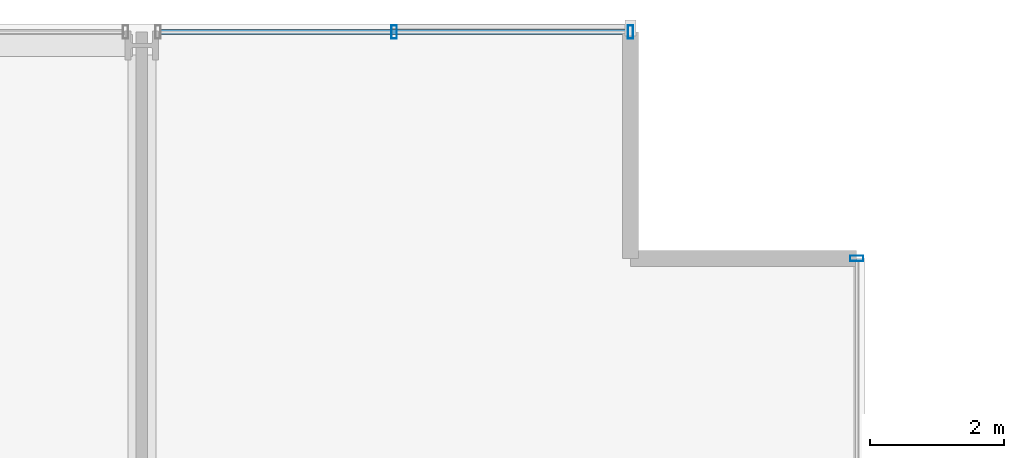
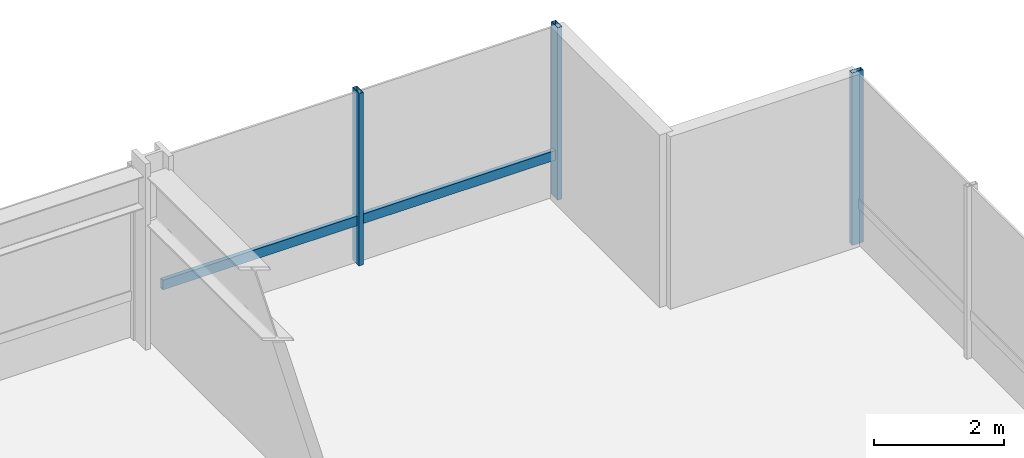
# One storey, part 28 of 38: 4 members, 2 elements without a shape of their own.
"""IFC4 building model written with IfcOpenShell, lengths in metres."""

from ifc_helpers import new_model, si_unit, direction, frame, origin, origin_2d, place, context, subcontext, project, spatial, hollow_rectangle, extrude, material, layer, layer_set, material_profile, profile_set, type_object, element, aggregate, save


model = new_model("IFC4")

# Units and contexts
model_context = context("Model", 3, precision=1e-05, world=origin(), true_north=direction((0.0, 1.0)))
body_context = subcontext(model_context, "Body", "Model", "MODEL_VIEW")
ifc_project = project(units=[si_unit("LENGTHUNIT", "METRE"), si_unit("AREAUNIT", "SQUARE_METRE"), si_unit("VOLUMEUNIT", "CUBIC_METRE"), si_unit("PLANEANGLEUNIT", "RADIAN"), si_unit("MASSUNIT", "GRAM", prefix="KILO")], contexts=[model_context])

# Site, building, storey
site_placement = place(None, origin())
site = spatial("IfcSite", under=ifc_project, at=site_placement, CompositionType="ELEMENT")
building_placement = place(site_placement, origin())
building = spatial("IfcBuilding", under=site, at=building_placement, Name="Drelvath Grand Hotel", CompositionType="ELEMENT")
storey_placement = place(building_placement, frame((0.0, 0.0, 47.199951171875)))
storey = spatial("IfcBuildingStorey", under=building, at=storey_placement, Name="L10", CompositionType="ELEMENT", Elevation=47.199951171875)

# Curtain wall, member
ifc_material = material(Name="Warm Bronze Anodised Aluminium Frame", Category="aluminium")
ifc_layer = layer(ifc_material, 0.199951171875)
ifc_layer_set = layer_set([ifc_layer], Name="Warm Bronze Anodised Aluminium Frame")
curtain_wall_type = type_object("IfcCurtainWallType", Name="Stick Curtain Wall CW-02 Warm Bronze Low-Rise", PredefinedType="NOTDEFINED", material=ifc_layer_set)
curtain_wall_1_placement = place(storey_placement, origin())
curtain_wall_1 = element("IfcCurtainWall", 1, at=curtain_wall_1_placement, inside=storey, type_object=curtain_wall_type, Name="L10 CW-02 Curtain Wall CW02-L10-NE3", PredefinedType="NOTDEFINED")
ifc_material_profile_1 = material_profile(ifc_material, hollow_rectangle(XDim=0.074951171875, YDim=0.179931640625, WallThickness=0.0048828125, at=origin_2d()), Name="HSS180X75X5")
ifc_profile_set_1 = profile_set([ifc_material_profile_1], Name="Warm Bronze Anodised Aluminium Frame")
member_type_1 = type_object("IfcMemberType", Name="Curtain Wall Horizontal Transom CW-02 HSS180X75X5", PredefinedType="USERDEFINED", material=ifc_profile_set_1)
member_1_placement = place(storey_placement, frame((16.48095703125, 53.8798828125, 0.81005859375), z_axis=(1.0, 0.0, 0.0), x_axis=(0.0, 1.0, 0.0)))
member_1 = element("IfcMember", 2, at=member_1_placement, type_object=member_type_1, Name="CW02-L10-NE3 Sill Transom", ObjectType="TRANSOM", PredefinedType="USERDEFINED", context=body_context, shape_type="SweptSolid", body=[
    extrude(hollow_rectangle(XDim=0.074951171875, YDim=0.179931640625, WallThickness=0.0048828125, at=origin_2d()), origin(), (0.0, 0.0, 1.0), 6.97900390625),
])

curtain_wall_2_placement = place(storey_placement, origin())
curtain_wall_2 = element("IfcCurtainWall", 3, at=curtain_wall_2_placement, inside=storey, type_object=curtain_wall_type, Name="L10 CW-02 Curtain Wall CW02-L10-EN3", PredefinedType="NOTDEFINED")
ifc_material_profile_2 = material_profile(ifc_material, hollow_rectangle(XDim=0.080078125, YDim=0.199951171875, WallThickness=0.0048828125, at=origin_2d()), Name="HSS200X80X5")
ifc_profile_set_2 = profile_set([ifc_material_profile_2], Name="Warm Bronze Anodised Aluminium Frame")
member_type_2 = type_object("IfcMemberType", Name="Curtain Wall Vertical Mullion CW-02 HSS200X80X5", PredefinedType="MULLION", material=ifc_profile_set_2)
member_2_placement = place(storey_placement, frame((26.8798828125, 50.5, 0.0), z_axis=(0.0, 0.0, 1.0), x_axis=(0.0, 1.0, 0.0)))
member_2 = element("IfcMember", 4, at=member_2_placement, type_object=member_type_2, Name="CW02-L10-EN3 Mullion 1", PredefinedType="MULLION", context=body_context, shape_type="SweptSolid", body=[
    extrude(hollow_rectangle(XDim=0.080078125, YDim=0.199951171875, WallThickness=0.0048828125, at=origin_2d()), origin(), (0.0, 0.0, 1.0), 3.239990234375),
])
aggregate(curtain_wall_2, [member_2])

# Member
member_3_placement = place(storey_placement, frame((19.970458984375, 53.8798828125, 0.0), z_axis=(0.0, 0.0, 1.0), x_axis=(1.0, 0.0, 0.0)))
member_3 = element("IfcMember", 5, at=member_3_placement, type_object=member_type_2, Name="CW02-L10-NE3 Mullion 2", PredefinedType="MULLION", context=body_context, shape_type="SweptSolid", body=[
    extrude(hollow_rectangle(XDim=0.080078125, YDim=0.199951171875, WallThickness=0.0048828125, at=origin_2d()), origin(), (0.0, 0.0, 1.0), 3.239990234375),
])

member_4_placement = place(storey_placement, frame((23.5, 53.8798828125, 0.0), z_axis=(0.0, 0.0, 1.0), x_axis=(1.0, 0.0, 0.0)))
member_4 = element("IfcMember", 6, at=member_4_placement, type_object=member_type_2, Name="CW02-L10-NE3 Mullion 3", PredefinedType="MULLION", context=body_context, shape_type="SweptSolid", body=[
    extrude(hollow_rectangle(XDim=0.080078125, YDim=0.199951171875, WallThickness=0.0048828125, at=origin_2d()), origin(), (0.0, 0.0, 1.0), 3.239990234375),
])

aggregate(curtain_wall_1, [member_3, member_4, member_1])

save(model, "model.ifc")
